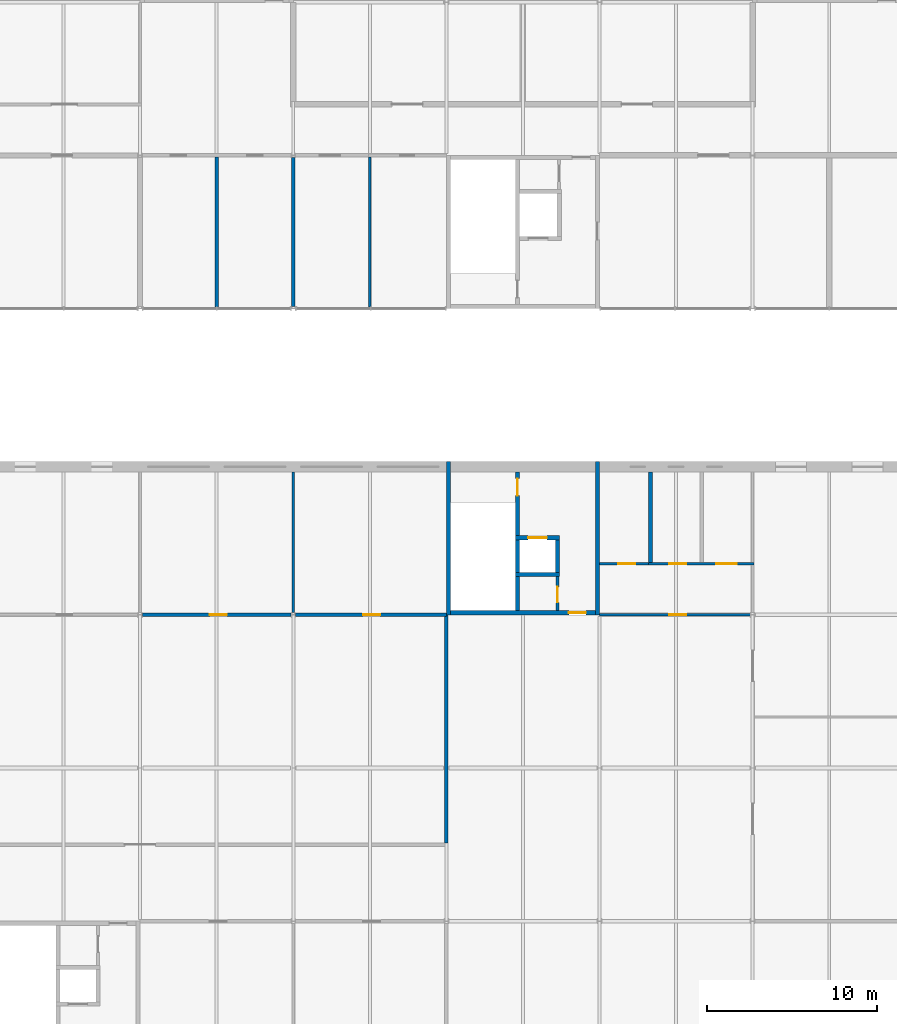
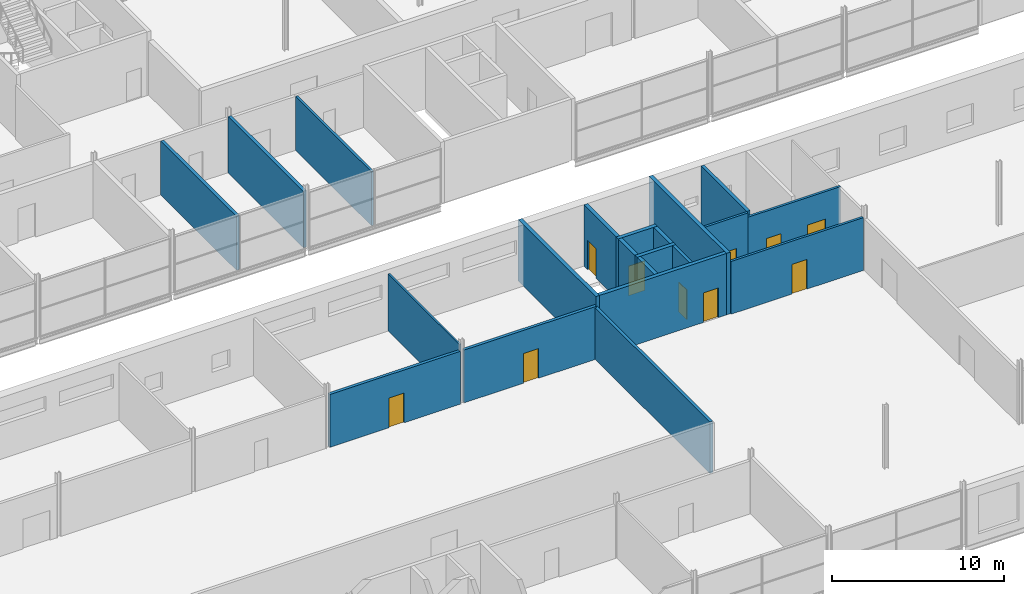
# One storey, part 121 of 138: 19 walls, 10 doors, 10 openings.
"""IFC4 building model written with IfcOpenShell, lengths in metres."""

from ifc_helpers import new_model, si_unit, direction, frame, frame_2d, origin, place, context, subcontext, project, spatial, rectangle, extrude, material, layer, layer_set, type_object, element, fill, save


model = new_model("IFC4")

# Units and contexts
model_context = context("Model", 3, precision=1e-05, world=origin(), true_north=direction((0.0, 1.0)))
body_context = subcontext(model_context, "Body", "Model", "MODEL_VIEW")
ifc_project = project(units=[si_unit("LENGTHUNIT", "METRE"), si_unit("AREAUNIT", "SQUARE_METRE"), si_unit("VOLUMEUNIT", "CUBIC_METRE"), si_unit("PLANEANGLEUNIT", "RADIAN"), si_unit("MASSUNIT", "GRAM", prefix="KILO")], contexts=[model_context])

# Site, building, storey
site_placement = place(None, origin())
site = spatial("IfcSite", under=ifc_project, at=site_placement, CompositionType="ELEMENT")
building_placement = place(site_placement, origin())
building = spatial("IfcBuilding", under=site, at=building_placement, Name="Corbel Yard City Hall", CompositionType="ELEMENT")
storey_placement = place(building_placement, frame((0.0, 0.0, 10.5)))
storey = spatial("IfcBuildingStorey", under=building, at=storey_placement, Name="L02", CompositionType="ELEMENT", Elevation=10.5)

# Walls
ifc_material_1 = material(Name="Concrete N50 (50 MPa)", Category="concrete")
ifc_layer_1 = layer(ifc_material_1, 0.25)
ifc_layer_set_1 = layer_set([ifc_layer_1], Name="Concrete N50 (50 MPa)")
wall_type_1 = type_object("IfcWallType", Name="Core cell wall 250", PredefinedType="SHEAR", material=ifc_layer_set_1)
for number, where, z_axis, x_axis, name in (
    (1, (81.125, 72.0, 0.0), (0.0, 0.0, 1.0), (0.0, 1.0, 0.0), "Core PC-M7 west wall"),
    (2, (89.875, 72.0, 0.0), (0.0, 0.0, 1.0), (0.0, 1.0, 0.0), "Core PC-M7 east wall"),
):
    element("IfcWall", number, at=place(storey_placement, frame(where, z_axis=z_axis, x_axis=x_axis)), inside=storey, type_object=wall_type_1, Name=name, PredefinedType="SHEAR", context=body_context, shape_type="SweptSolid", body=[
        extrude(rectangle(XDim=9.0, YDim=0.25, at=frame_2d((4.5, 0.0))), origin(), (0.0, 0.0, 1.0), 4.35009765625),
    ])

# Wall, opening, door
wall_1_placement = place(storey_placement, frame((81.25, 72.125, 0.0), z_axis=(0.0, 0.0, 1.0), x_axis=(1.0, 0.0, 0.0)))
wall_1 = element("IfcWall", 3, at=wall_1_placement, inside=storey, type_object=wall_type_1, Name="Core PC-M7 south wall", PredefinedType="SHEAR", context=body_context, shape_type="SweptSolid", body=[
    extrude(rectangle(XDim=8.5, YDim=0.25, at=frame_2d((4.25, 0.0))), origin(), (0.0, 0.0, 1.0), 4.35009765625),
])
opening_1_placement = place(wall_1_placement, frame((6.949951171875, 0.0, 0.0)))
opening_1 = element("IfcOpeningElement", 4, at=opening_1_placement, cuts=wall_1, Name="Opening L02-088", PredefinedType="OPENING", context=body_context, shape_type="SweptSolid", body=[
    extrude(rectangle(XDim=1.0, YDim=2.10009765625, at=frame_2d((0.5, 1.050048828125))), frame((0.0, 0.135009765625, 0.0), z_axis=(0.0, -1.0, 0.0), x_axis=(1.0, 0.0, 0.0)), (0.0, 0.0, 1.0), 0.27001953125),
])
ifc_material_2 = material(Name="Steel Grade G250", Category="steel")
door_type_1 = type_object("IfcDoorType", Name="FS1", OperationType="SINGLE_SWING_LEFT", PredefinedType="DOOR", material=ifc_material_2)
door_1_placement = place(opening_1_placement, origin())
door_1 = element("IfcDoor", 5, at=door_1_placement, inside=storey, type_object=door_type_1, Name="Door Lift Lobby", OperationType="SINGLE_SWING_LEFT", OverallHeight=2.10009765625, OverallWidth=1.0, PredefinedType="DOOR", context=body_context, shape_type="SweptSolid", body=[
    extrude(rectangle(XDim=1.0, YDim=2.10009765625, at=frame_2d((0.5, 1.050048828125))), frame((0.0, 0.02490234375, 0.0), z_axis=(0.0, -1.0, 0.0), x_axis=(1.0, 0.0, 0.0)), (0.0, 0.0, 1.0), 0.050048828125),
])
fill(opening_1, door_1)

ifc_material_3 = material(Name="Concrete N40 (40 MPa)", Category="concrete")
ifc_layer_2 = layer(ifc_material_3, 0.25)
ifc_layer_set_2 = layer_set([ifc_layer_2], Name="Concrete N40 (40 MPa)")
wall_type_2 = type_object("IfcWallType", Name="IW2", PredefinedType="SOLIDWALL", material=ifc_layer_set_2)
wall_2_placement = place(storey_placement, frame((85.175048828125, 80.39990234375, 0.0), z_axis=(0.0, 0.0, 1.0), x_axis=(0.0, -1.0, 0.0)))
wall_2 = element("IfcWall", 6, at=wall_2_placement, inside=storey, type_object=wall_type_2, Name="Stair enclosure wall", PredefinedType="SOLIDWALL", context=body_context, shape_type="SweptSolid", body=[
    extrude(rectangle(XDim=8.14990234375, YDim=0.25, at=frame_2d((4.074951171875, 0.0))), origin(), (0.0, 0.0, 1.0), 4.35009765625),
])
opening_2_placement = place(wall_2_placement, frame((0.39990234375, 0.0, 0.0)))
opening_2 = element("IfcOpeningElement", 7, at=opening_2_placement, cuts=wall_2, Name="Opening L02-087", PredefinedType="OPENING", context=body_context, shape_type="SweptSolid", body=[
    extrude(rectangle(XDim=1.0, YDim=2.10009765625, at=frame_2d((0.5, 1.050048828125))), frame((0.0, 0.135009765625, 0.0), z_axis=(0.0, -1.0, 0.0), x_axis=(1.0, 0.0, 0.0)), (0.0, 0.0, 1.0), 0.27001953125),
])
door_2_placement = place(opening_2_placement, frame((1.0, 0.0, 0.0), z_axis=(0.0, 0.0, 1.0), x_axis=(-1.0, 0.0, 0.0)))
door_2 = element("IfcDoor", 8, at=door_2_placement, inside=storey, type_object=door_type_1, Name="Door Exit Stair 14", OperationType="SINGLE_SWING_RIGHT", OverallHeight=2.10009765625, OverallWidth=1.0, PredefinedType="DOOR", context=body_context, shape_type="SweptSolid", body=[
    extrude(rectangle(XDim=1.0, YDim=2.10009765625, at=frame_2d((0.5, 1.050048828125))), frame((0.0, 0.02490234375, 0.0), z_axis=(0.0, -1.0, 0.0), x_axis=(1.0, 0.0, 0.0)), (0.0, 0.0, 1.0), 0.050048828125),
])
fill(opening_2, door_2)

# Wall
wall_3_placement = place(storey_placement, frame((85.050048828125, 74.375, 0.0), z_axis=(0.0, 0.0, 1.0), x_axis=(1.0, 0.0, 0.0)))
element("IfcWall", 9, at=wall_3_placement, inside=storey, type_object=wall_type_2, Name="Lift LP14 shaft wall", PredefinedType="SOLIDWALL", context=body_context, shape_type="SweptSolid", body=[
    extrude(rectangle(XDim=2.599853515625, YDim=0.25, at=frame_2d((1.2998046875, 0.0))), origin(), (0.0, 0.0, 1.0), 4.35009765625),
])

# Wall, opening, door
wall_4_placement = place(storey_placement, frame((85.050048828125, 76.52490234375, 0.0), z_axis=(0.0, 0.0, 1.0), x_axis=(1.0, 0.0, 0.0)))
wall_4 = element("IfcWall", 10, at=wall_4_placement, inside=storey, type_object=wall_type_2, Name="Lift LP14 shaft wall", PredefinedType="SOLIDWALL", context=body_context, shape_type="SweptSolid", body=[
    extrude(rectangle(XDim=2.599853515625, YDim=0.25, at=frame_2d((1.2998046875, 0.0))), origin(), (0.0, 0.0, 1.0), 4.35009765625),
])
opening_3_placement = place(wall_4_placement, frame((0.75, 0.0, 0.0)))
opening_3 = element("IfcOpeningElement", 11, at=opening_3_placement, cuts=wall_4, Name="Opening L02-054", PredefinedType="OPENING", context=body_context, shape_type="SweptSolid", body=[
    extrude(rectangle(XDim=1.10009765625, YDim=2.10009765625, at=frame_2d((0.550048828125, 1.050048828125))), frame((0.0, 0.135009765625, 0.0), z_axis=(0.0, -1.0, 0.0), x_axis=(1.0, 0.0, 0.0)), (0.0, 0.0, 1.0), 0.27001953125),
])
ifc_material_4 = material(Name="Stainless steel Grade 316", Category="steel")
door_type_2 = type_object("IfcDoorType", Name="LD1", OperationType="DOUBLE_DOOR_SLIDING", PredefinedType="DOOR", material=ifc_material_4)
door_3_placement = place(opening_3_placement, origin())
door_3 = element("IfcDoor", 12, at=door_3_placement, inside=storey, type_object=door_type_2, Name="Lift LP14 landing door", OperationType="DOUBLE_DOOR_SLIDING", OverallHeight=2.10009765625, OverallWidth=1.10009765625, PredefinedType="DOOR", context=body_context, shape_type="SweptSolid", body=[
    extrude(rectangle(XDim=1.10009765625, YDim=2.10009765625, at=frame_2d((0.550048828125, 1.050048828125))), frame((0.0, 0.02490234375, 0.0), z_axis=(0.0, -1.0, 0.0), x_axis=(1.0, 0.0, 0.0)), (0.0, 0.0, 1.0), 0.050048828125),
])
fill(opening_3, door_3)

# Walls
wall_5_placement = place(storey_placement, frame((87.52490234375, 74.5, 0.0), z_axis=(0.0, 0.0, 1.0), x_axis=(0.0, 1.0, 0.0)))
element("IfcWall", 13, at=wall_5_placement, inside=storey, type_object=wall_type_2, Name="Lift LP14 shaft wall", PredefinedType="SOLIDWALL", context=body_context, shape_type="SweptSolid", body=[
    extrude(rectangle(XDim=1.89990234375, YDim=0.25, at=frame_2d((0.949951171875, 0.0))), origin(), (0.0, 0.0, 1.0), 4.35009765625),
])
ifc_material_5 = material(Name="Gypsum plasterboard", Category="gypsum")
ifc_layer_3 = layer(ifc_material_5, 0.028076171875)
ifc_material_6 = material(Name="Steel Grade G550 (550 MPa yield)", Category="steel")
ifc_layer_4 = layer(ifc_material_6, 0.06396484375)
ifc_layer_5 = layer(ifc_material_5, 0.028076171875)
ifc_layer_set_3 = layer_set([ifc_layer_3, ifc_layer_4, ifc_layer_5], Name="Steel Grade G550 (550 MPa yield)")
wall_type_3 = type_object("IfcWallType", Name="PT1", PredefinedType="PARTITIONING", material=ifc_layer_set_3)
wall_6_placement = place(storey_placement, frame((72.0, 72.1298828125, 0.0), z_axis=(0.0, 0.0, 1.0), x_axis=(0.0, 1.0, 0.0)))
element("IfcWall", 14, at=wall_6_placement, inside=storey, type_object=wall_type_3, Name="Partition", PredefinedType="PARTITIONING", context=body_context, shape_type="SweptSolid", body=[
    extrude(rectangle(XDim=8.27001953125, YDim=0.1201171875, at=frame_2d((4.135009765625, 0.0))), origin(), (0.0, 0.0, 1.0), 4.04296875),
])

# Wall, opening, door
ifc_layer_6 = layer(ifc_material_5, 0.031982421875)
ifc_layer_7 = layer(ifc_material_6, 0.135986328125)
ifc_layer_8 = layer(ifc_material_5, 0.031982421875)
ifc_layer_set_4 = layer_set([ifc_layer_6, ifc_layer_7, ifc_layer_8], Name="Steel Grade G550 (550 MPa yield)")
wall_type_4 = type_object("IfcWallType", Name="PT2", PredefinedType="PARTITIONING", material=ifc_layer_set_4)
wall_7_placement = place(storey_placement, frame((63.1298828125, 72.0, 0.0), z_axis=(0.0, 0.0, 1.0), x_axis=(1.0, 0.0, 0.0)))
wall_7 = element("IfcWall", 15, at=wall_7_placement, inside=storey, type_object=wall_type_4, Name="Acoustic wall", PredefinedType="PARTITIONING", context=body_context, shape_type="SweptSolid", body=[
    extrude(rectangle(XDim=8.740234375, YDim=0.199951171875, at=frame_2d((4.3701171875, 0.0))), origin(), (0.0, 0.0, 1.0), 3.738037109375),
])
opening_4_placement = place(wall_7_placement, frame((3.969970703125, 0.0, 0.0)))
opening_4 = element("IfcOpeningElement", 16, at=opening_4_placement, cuts=wall_7, Name="Opening L02-082", PredefinedType="OPENING", context=body_context, shape_type="SweptSolid", body=[
    extrude(rectangle(XDim=1.0, YDim=2.10009765625, at=frame_2d((0.5, 1.050048828125))), frame((0.0, 0.10986328125, 0.0), z_axis=(0.0, -1.0, 0.0), x_axis=(1.0, 0.0, 0.0)), (0.0, 0.0, 1.0), 0.219970703125),
])
ifc_material_7 = material(Name="Timber", Category="wood")
door_type_3 = type_object("IfcDoorType", Name="D1", OperationType="SINGLE_SWING_LEFT", PredefinedType="DOOR", material=ifc_material_7)
door_4_placement = place(opening_4_placement, origin())
door_4 = element("IfcDoor", 17, at=door_4_placement, inside=storey, type_object=door_type_3, Name="Door Library Staff Room", OperationType="SINGLE_SWING_RIGHT", OverallHeight=2.10009765625, OverallWidth=1.0, PredefinedType="DOOR", context=body_context, shape_type="SweptSolid", body=[
    extrude(rectangle(XDim=1.0, YDim=2.10009765625, at=frame_2d((0.5, 1.050048828125))), frame((0.0, 0.02490234375, 0.0), z_axis=(0.0, -1.0, 0.0), x_axis=(1.0, 0.0, 0.0)), (0.0, 0.0, 1.0), 0.050048828125),
])
fill(opening_4, door_4)

wall_8_placement = place(storey_placement, frame((72.1298828125, 72.0, 0.0), z_axis=(0.0, 0.0, 1.0), x_axis=(1.0, 0.0, 0.0)))
wall_8 = element("IfcWall", 18, at=wall_8_placement, inside=storey, type_object=wall_type_4, Name="Acoustic wall", PredefinedType="PARTITIONING", context=body_context, shape_type="SweptSolid", body=[
    extrude(rectangle(XDim=8.8701171875, YDim=0.199951171875, at=frame_2d((4.43505859375, 0.0))), origin(), (0.0, 0.0, 1.0), 3.738037109375),
])
opening_5_placement = place(wall_8_placement, frame((3.969970703125, 0.0, 0.0)))
opening_5 = element("IfcOpeningElement", 19, at=opening_5_placement, cuts=wall_8, Name="Opening L02-083", PredefinedType="OPENING", context=body_context, shape_type="SweptSolid", body=[
    extrude(rectangle(XDim=1.0, YDim=2.10009765625, at=frame_2d((0.5, 1.050048828125))), frame((0.0, 0.10986328125, 0.0), z_axis=(0.0, -1.0, 0.0), x_axis=(1.0, 0.0, 0.0)), (0.0, 0.0, 1.0), 0.219970703125),
])
door_5_placement = place(opening_5_placement, origin())
door_5 = element("IfcDoor", 20, at=door_5_placement, inside=storey, type_object=door_type_3, Name="Door Library Workroom", OperationType="SINGLE_SWING_RIGHT", OverallHeight=2.10009765625, OverallWidth=1.0, PredefinedType="DOOR", context=body_context, shape_type="SweptSolid", body=[
    extrude(rectangle(XDim=1.0, YDim=2.10009765625, at=frame_2d((0.5, 1.050048828125))), frame((0.0, 0.02490234375, 0.0), z_axis=(0.0, -1.0, 0.0), x_axis=(1.0, 0.0, 0.0)), (0.0, 0.0, 1.0), 0.050048828125),
])
fill(opening_5, door_5)

# Wall
wall_9_placement = place(storey_placement, frame((81.0, 58.60009765625, 0.0), z_axis=(0.0, 0.0, 1.0), x_axis=(0.0, 1.0, 0.0)))
element("IfcWall", 21, at=wall_9_placement, inside=storey, type_object=wall_type_4, Name="Acoustic wall", PredefinedType="PARTITIONING", context=body_context, shape_type="SweptSolid", body=[
    extrude(rectangle(XDim=13.39990234375, YDim=0.199951171875, at=frame_2d((6.699951171875, 0.0))), origin(), (0.0, 0.0, 1.0), 3.64990234375),
])

# Wall, opening, door
ifc_layer_9 = layer(ifc_material_5, 0.031982421875)
ifc_layer_10 = layer(ifc_material_6, 0.095947265625)
ifc_layer_11 = layer(ifc_material_5, 0.031982421875)
ifc_layer_set_5 = layer_set([ifc_layer_9, ifc_layer_10, ifc_layer_11], Name="Steel Grade G550 (550 MPa yield)")
wall_type_5 = type_object("IfcWallType", Name="PT3", PredefinedType="PARTITIONING", material=ifc_layer_set_5)
wall_10_placement = place(storey_placement, frame((90.0, 72.0, 0.0), z_axis=(0.0, 0.0, 1.0), x_axis=(1.0, 0.0, 0.0)))
wall_10 = element("IfcWall", 22, at=wall_10_placement, inside=storey, type_object=wall_type_5, Name="Fire-resisting wall", PredefinedType="PARTITIONING", context=body_context, shape_type="SweptSolid", body=[
    extrude(rectangle(XDim=8.8701171875, YDim=0.159912109375, at=frame_2d((4.43505859375, 0.0))), origin(), (0.0, 0.0, 1.0), 3.738037109375),
])
opening_6_placement = place(wall_10_placement, frame((4.10009765625, 0.0, 0.0)))
opening_6 = element("IfcOpeningElement", 23, at=opening_6_placement, cuts=wall_10, Name="Opening L02-092", PredefinedType="OPENING", context=body_context, shape_type="SweptSolid", body=[
    extrude(rectangle(XDim=1.0, YDim=2.10009765625, at=frame_2d((0.5, 1.050048828125))), frame((0.0, 0.08984375, 0.0), z_axis=(0.0, -1.0, 0.0), x_axis=(1.0, 0.0, 0.0)), (0.0, 0.0, 1.0), 0.179931640625),
])
door_type_4 = type_object("IfcDoorType", Name="FD1", OperationType="SINGLE_SWING_LEFT", PredefinedType="DOOR", material=ifc_material_2)
door_6_placement = place(opening_6_placement, origin())
door_6 = element("IfcDoor", 24, at=door_6_placement, inside=storey, type_object=door_type_4, Name="Door WC Lobby", OperationType="SINGLE_SWING_RIGHT", OverallHeight=2.10009765625, OverallWidth=1.0, PredefinedType="DOOR", context=body_context, shape_type="SweptSolid", body=[
    extrude(rectangle(XDim=1.0, YDim=2.10009765625, at=frame_2d((0.5, 1.050048828125))), frame((0.0, 0.02490234375, 0.0), z_axis=(0.0, -1.0, 0.0), x_axis=(1.0, 0.0, 0.0)), (0.0, 0.0, 1.0), 0.050048828125),
])
fill(opening_6, door_6)

wall_11_placement = place(storey_placement, frame((90.0, 75.0, 0.0), z_axis=(0.0, 0.0, 1.0), x_axis=(1.0, 0.0, 0.0)))
wall_11 = element("IfcWall", 25, at=wall_11_placement, inside=storey, type_object=wall_type_5, Name="Fire-resisting wall", PredefinedType="PARTITIONING", context=body_context, shape_type="SweptSolid", body=[
    extrude(rectangle(XDim=2.889892578125, YDim=0.159912109375, at=frame_2d((1.44482421875, 0.0))), origin(), (0.0, 0.0, 1.0), 4.35009765625),
])
opening_7_placement = place(wall_11_placement, frame((1.10009765625, 0.0, 0.0)))
opening_7 = element("IfcOpeningElement", 26, at=opening_7_placement, cuts=wall_11, Name="Opening L02-093", PredefinedType="OPENING", context=body_context, shape_type="SweptSolid", body=[
    extrude(rectangle(XDim=1.0, YDim=2.10009765625, at=frame_2d((0.5, 1.050048828125))), frame((0.0, 0.08984375, 0.0), z_axis=(0.0, -1.0, 0.0), x_axis=(1.0, 0.0, 0.0)), (0.0, 0.0, 1.0), 0.179931640625),
])
door_7_placement = place(opening_7_placement, origin())
door_7 = element("IfcDoor", 27, at=door_7_placement, inside=storey, type_object=door_type_4, Name="Door Women's WC", OperationType="SINGLE_SWING_RIGHT", OverallHeight=2.10009765625, OverallWidth=1.0, PredefinedType="DOOR", context=body_context, shape_type="SweptSolid", body=[
    extrude(rectangle(XDim=1.0, YDim=2.10009765625, at=frame_2d((0.5, 1.050048828125))), frame((0.0, 0.02490234375, 0.0), z_axis=(0.0, -1.0, 0.0), x_axis=(1.0, 0.0, 0.0)), (0.0, 0.0, 1.0), 0.050048828125),
])
fill(opening_7, door_7)

# Wall, openings, doors
wall_12_placement = place(storey_placement, frame((92.889892578125, 75.0, 0.0), z_axis=(0.0, 0.0, 1.0), x_axis=(1.0, 0.0, 0.0)))
wall_12 = element("IfcWall", 28, at=wall_12_placement, inside=storey, type_object=wall_type_5, Name="Fire-resisting wall", PredefinedType="PARTITIONING", context=body_context, shape_type="SweptSolid", body=[
    extrude(rectangle(XDim=6.190185546875, YDim=0.159912109375, at=frame_2d((3.09521484375, 0.0))), origin(), (0.0, 0.0, 1.0), 4.04296875),
])
opening_8_placement = place(wall_12_placement, frame((1.2099609375, 0.0, 0.0)))
opening_8 = element("IfcOpeningElement", 29, at=opening_8_placement, cuts=wall_12, Name="Opening L02-094", PredefinedType="OPENING", context=body_context, shape_type="SweptSolid", body=[
    extrude(rectangle(XDim=1.0, YDim=2.10009765625, at=frame_2d((0.5, 1.050048828125))), frame((0.0, 0.08984375, 0.0), z_axis=(0.0, -1.0, 0.0), x_axis=(1.0, 0.0, 0.0)), (0.0, 0.0, 1.0), 0.179931640625),
])
opening_9_placement = place(wall_12_placement, frame((3.9599609375, 0.0, 0.0)))
opening_9 = element("IfcOpeningElement", 30, at=opening_9_placement, cuts=wall_12, Name="Opening L02-095", PredefinedType="OPENING", context=body_context, shape_type="SweptSolid", body=[
    extrude(rectangle(XDim=1.199951171875, YDim=2.10009765625, at=frame_2d((0.60009765625, 1.050048828125))), frame((0.0, 0.08984375, 0.0), z_axis=(0.0, -1.0, 0.0), x_axis=(1.0, 0.0, 0.0)), (0.0, 0.0, 1.0), 0.179931640625),
])
door_8_placement = place(opening_8_placement, origin())
door_8 = element("IfcDoor", 31, at=door_8_placement, inside=storey, type_object=door_type_4, Name="Door Men's WC", OperationType="SINGLE_SWING_RIGHT", OverallHeight=2.10009765625, OverallWidth=1.0, PredefinedType="DOOR", context=body_context, shape_type="SweptSolid", body=[
    extrude(rectangle(XDim=1.0, YDim=2.10009765625, at=frame_2d((0.5, 1.050048828125))), frame((0.0, 0.02490234375, 0.0), z_axis=(0.0, -1.0, 0.0), x_axis=(1.0, 0.0, 0.0)), (0.0, 0.0, 1.0), 0.050048828125),
])
fill(opening_8, door_8)
door_type_5 = type_object("IfcDoorType", Name="FD7", OperationType="SINGLE_SWING_LEFT", PredefinedType="DOOR", material=ifc_material_2)
door_9_placement = place(opening_9_placement, origin())
door_9 = element("IfcDoor", 32, at=door_9_placement, inside=storey, type_object=door_type_5, Name="Door Accessible WC", OperationType="SINGLE_SWING_LEFT", OverallHeight=2.10009765625, OverallWidth=1.199951171875, PredefinedType="DOOR", context=body_context, shape_type="SweptSolid", body=[
    extrude(rectangle(XDim=1.199951171875, YDim=2.10009765625, at=frame_2d((0.60009765625, 1.050048828125))), frame((0.0, 0.02490234375, 0.0), z_axis=(0.0, -1.0, 0.0), x_axis=(1.0, 0.0, 0.0)), (0.0, 0.0, 1.0), 0.050048828125),
])
fill(opening_9, door_9)

# Wall
wall_13_placement = place(storey_placement, frame((76.5, 90.10009765625, 0.0), z_axis=(0.0, 0.0, 1.0), x_axis=(0.0, 1.0, 0.0)))
element("IfcWall", 33, at=wall_13_placement, inside=storey, type_object=wall_type_5, Name="Fire-resisting wall", PredefinedType="PARTITIONING", context=body_context, shape_type="SweptSolid", body=[
    extrude(rectangle(XDim=8.7998046875, YDim=0.159912109375, at=frame_2d((4.39990234375, 0.0))), origin(), (0.0, 0.0, 1.0), 3.822021484375),
])

# Wall, opening, door
ifc_material_8 = material(Name="Concrete block", Category="concrete")
ifc_layer_12 = layer(ifc_material_8, 0.18994140625)
ifc_layer_set_6 = layer_set([ifc_layer_12], Name="Concrete block")
wall_type_6 = type_object("IfcWallType", Name="PT4", PredefinedType="PARTITIONING", material=ifc_layer_set_6)
wall_14_placement = place(storey_placement, frame((87.52490234375, 72.25, 0.0), z_axis=(0.0, 0.0, 1.0), x_axis=(0.0, 1.0, 0.0)))
wall_14 = element("IfcWall", 34, at=wall_14_placement, inside=storey, type_object=wall_type_6, Name="Fire-resisting block wall", PredefinedType="PARTITIONING", context=body_context, shape_type="SweptSolid", body=[
    extrude(rectangle(XDim=2.0, YDim=0.18994140625, at=frame_2d((1.0, 0.0))), origin(), (0.0, 0.0, 1.0), 4.35009765625),
])
opening_10_placement = place(wall_14_placement, frame((0.4775390625, 0.0, 0.0)))
opening_10 = element("IfcOpeningElement", 35, at=opening_10_placement, cuts=wall_14, Name="Opening L02-089", PredefinedType="OPENING", context=body_context, shape_type="SweptSolid", body=[
    extrude(rectangle(XDim=0.919921875, YDim=2.10009765625, at=frame_2d((0.4599609375, 1.050048828125))), frame((0.0, 0.10498046875, 0.0), z_axis=(0.0, -1.0, 0.0), x_axis=(1.0, 0.0, 0.0)), (0.0, 0.0, 1.0), 0.2099609375),
])
door_type_6 = type_object("IfcDoorType", Name="FS5", OperationType="SINGLE_SWING_RIGHT", PredefinedType="DOOR", material=ifc_material_2)
door_10_placement = place(opening_10_placement, origin())
door_10 = element("IfcDoor", 36, at=door_10_placement, inside=storey, type_object=door_type_6, Name="Door Service Riser", OperationType="SINGLE_SWING_LEFT", OverallHeight=2.10009765625, OverallWidth=0.919921875, PredefinedType="DOOR", context=body_context, shape_type="SweptSolid", body=[
    extrude(rectangle(XDim=0.919921875, YDim=2.10009765625, at=frame_2d((0.4599609375, 1.050048828125))), frame((0.0, 0.02490234375, 0.0), z_axis=(0.0, -1.0, 0.0), x_axis=(1.0, 0.0, 0.0)), (0.0, 0.0, 1.0), 0.050048828125),
])
fill(opening_10, door_10)

# Walls
ifc_layer_13 = layer(ifc_material_5, 0.031982421875)
ifc_layer_14 = layer(ifc_material_6, 0.156005859375)
ifc_layer_15 = layer(ifc_material_5, 0.031982421875)
ifc_layer_set_7 = layer_set([ifc_layer_13, ifc_layer_14, ifc_layer_15], Name="Steel Grade G550 (550 MPa yield)")
wall_type_7 = type_object("IfcWallType", Name="PT5", PredefinedType="PLUMBINGWALL", material=ifc_layer_set_7)
wall_15_placement = place(storey_placement, frame((93.0, 75.080078125, 0.0), z_axis=(0.0, 0.0, 1.0), x_axis=(0.0, 1.0, 0.0)))
element("IfcWall", 37, at=wall_15_placement, inside=storey, type_object=wall_type_7, Name="Wet wall", PredefinedType="PLUMBINGWALL", context=body_context, shape_type="SweptSolid", body=[
    extrude(rectangle(XDim=5.31982421875, YDim=0.219970703125, at=frame_2d((2.659912109375, 0.0))), origin(), (0.0, 0.0, 1.0), 4.35009765625),
])
wall_16_placement = place(storey_placement, frame((67.5, 90.10009765625, 0.0), z_axis=(0.0, 0.0, 1.0), x_axis=(0.0, 1.0, 0.0)))
element("IfcWall", 38, at=wall_16_placement, inside=storey, type_object=wall_type_7, Name="Wet wall", PredefinedType="PLUMBINGWALL", context=body_context, shape_type="SweptSolid", body=[
    extrude(rectangle(XDim=8.7998046875, YDim=0.219970703125, at=frame_2d((4.39990234375, 0.0))), origin(), (0.0, 0.0, 1.0), 3.822021484375),
])
wall_17_placement = place(storey_placement, frame((72.0, 90.126953125, 0.0), z_axis=(0.0, 0.0, 1.0), x_axis=(0.0, 1.0, 0.0)))
element("IfcWall", 39, at=wall_17_placement, inside=storey, type_object=wall_type_7, Name="Wet wall", PredefinedType="PLUMBINGWALL", context=body_context, shape_type="SweptSolid", body=[
    extrude(rectangle(XDim=8.7431640625, YDim=0.219970703125, at=frame_2d((4.37158203125, 0.0))), origin(), (0.0, 0.0, 1.0), 3.998046875),
])

save(model, "model.ifc")
